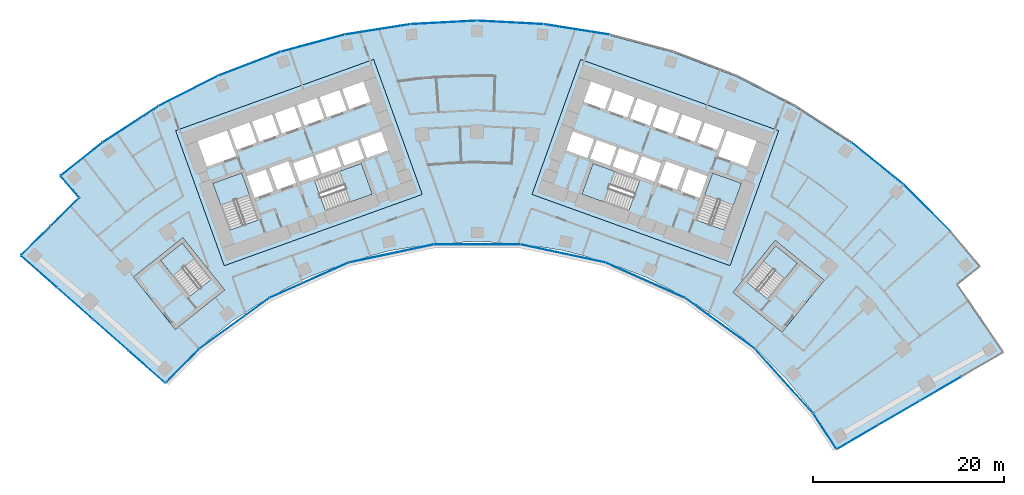
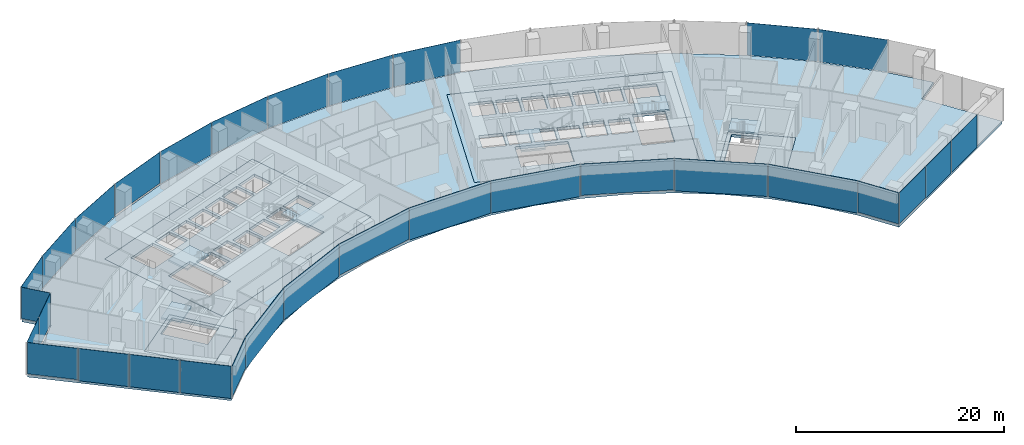
# One storey, part 11 of 21: 31 plates, 11 slabs, 12 elements without a shape of their own.
"""IFC4 building model written with IfcOpenShell, lengths in metres."""

import ifcopenshell
import ifcopenshell.guid

model = None  # the IFC model being written
_history = None  # IfcOwnerHistory: only IFC2X3 demands one
_inside = {}  # id of a spatial element -> (the spatial element, [elements in it])
_under = {}  # id of a project, library or spatial element -> (it, [spatial elements below it])
_declared = {}  # id of a project -> (the project, [libraries it declares])
_typed = {}  # id of a type object -> (the type object, [elements of that type])
_made_of = {}  # id of a material, layer set ... -> (it, [elements and type objects made of it])


def new_model(schema):
    """Start an empty IFC model of exactly this schema.

    Asked for "IFC4X3", IfcOpenShell would pick the latest addendum, in which some entities
    have other attributes; the version numbers below select the first issue.
    IFC2X3 requires an IfcOwnerHistory on every rooted entity: one is made here for all.
    """
    global model, _history
    if schema == "IFC4X3":
        model = ifcopenshell.file(schema_version=(4, 3, 0, 0))
    else:
        model = ifcopenshell.file(schema=schema)
    _inside.clear()
    _under.clear()
    _declared.clear()
    _typed.clear()
    _made_of.clear()
    _history = None
    if model.schema == "IFC2X3":
        org = make("IfcOrganization", Name="unknown")
        user = make(
            "IfcPersonAndOrganization",
            ThePerson=make("IfcPerson", FamilyName="unknown"),
            TheOrganization=org,
        )
        app = make(
            "IfcApplication",
            ApplicationDeveloper=org,
            Version="unknown",
            ApplicationFullName="unknown",
            ApplicationIdentifier="unknown",
        )
        _history = make(
            "IfcOwnerHistory",
            OwningUser=user,
            OwningApplication=app,
            ChangeAction="ADDED",
            CreationDate=0,
        )
    return model


def make(cls, **values):
    """One entity of the class cls with the attributes given. An attribute that is None is left unset."""
    return model.create_entity(
        cls, **{name: value for name, value in values.items() if value is not None}
    )


def rooted(cls, **values):
    """An entity with a GlobalId (a new one), such as an element, a storey or a relation."""
    return make(cls, GlobalId=ifcopenshell.guid.new(), OwnerHistory=_history, **values)


def si_unit(unit_type, name, prefix=None):
    """IfcSIUnit, for example si_unit("LENGTHUNIT", "METRE", prefix="MILLI")."""
    return make("IfcSIUnit", UnitType=unit_type, Prefix=prefix, Name=name)


def assignment(units):
    """IfcUnitAssignment: the units of a project."""
    return None if units is None else make("IfcUnitAssignment", Units=units)


def point(xyz):
    """IfcCartesianPoint."""
    return None if xyz is None else make("IfcCartesianPoint", Coordinates=xyz)


def direction(xyz):
    """IfcDirection."""
    return None if xyz is None else make("IfcDirection", DirectionRatios=xyz)


def frame(location, z_axis=None, x_axis=None):
    """IfcAxis2Placement3D, a coordinate frame: its origin and axes. An axis left out is left unset."""
    return make(
        "IfcAxis2Placement3D",
        Location=point(location),
        Axis=direction(z_axis),
        RefDirection=direction(x_axis),
    )


def frame_2d(location, x_axis=None):
    """IfcAxis2Placement2D, a coordinate frame in the plane: its origin and x axis."""
    return make(
        "IfcAxis2Placement2D", Location=point(location), RefDirection=direction(x_axis)
    )


def origin():
    """The frame at (0, 0, 0) with its axes left unset."""
    return frame((0.0, 0.0, 0.0))


def origin_2d():
    """The frame at (0, 0) in the plane with its x axis left unset."""
    return frame_2d((0.0, 0.0))


def place(relative_to, where):
    """IfcLocalPlacement: puts the frame where relative to a parent placement (None: the world)."""
    return make(
        "IfcLocalPlacement", PlacementRelTo=relative_to, RelativePlacement=where
    )


def context(
    kind, dimensions, precision=None, world=None, true_north=None, identifier=None
):
    """IfcGeometricRepresentationContext, for example the 3D "Model" context."""
    return make(
        "IfcGeometricRepresentationContext",
        ContextIdentifier=identifier,
        ContextType=kind,
        CoordinateSpaceDimension=dimensions,
        Precision=precision,
        WorldCoordinateSystem=world,
        TrueNorth=true_north,
    )


def subcontext(parent, identifier, kind, view, scale=None):
    """IfcGeometricRepresentationSubContext, for example "Body" below "Model"."""
    return make(
        "IfcGeometricRepresentationSubContext",
        ContextIdentifier=identifier,
        ContextType=kind,
        ParentContext=parent,
        TargetScale=scale,
        TargetView=view,
    )


def project(units=None, contexts=None):
    """IfcProject with its units and contexts."""
    return rooted(
        "IfcProject",
        Name="project",
        RepresentationContexts=contexts,
        UnitsInContext=assignment(units),
    )


def spatial(cls, under=None, at=None, **own):
    """A site, building, storey or space (cls), placed at a placement, below another one or the project."""
    s = rooted(cls, ObjectPlacement=at, **own)
    if under is not None:
        _under.setdefault(under.id(), (under, []))[1].append(s)
    return s


def polyline(points):
    """IfcPolyline through the points."""
    return make("IfcPolyline", Points=[point(p) for p in points])


def profile(cls, at=None, kind="AREA", **sizes):
    """A parametric profile (cls). Its sizes go by their IFC names, for example OverallWidth=200.0."""
    return make(cls, ProfileType=kind, Position=at, **sizes)


def rectangle(**sizes):
    """IfcRectangleProfileDef."""
    return profile("IfcRectangleProfileDef", **sizes)


def outline(outer, holes=None, kind="AREA"):
    """IfcArbitraryClosedProfileDef: a profile drawn as a closed curve; with holes, ...WithVoids."""
    if holes is None:
        return make("IfcArbitraryClosedProfileDef", ProfileType=kind, OuterCurve=outer)
    return make(
        "IfcArbitraryProfileDefWithVoids",
        ProfileType=kind,
        OuterCurve=outer,
        InnerCurves=holes,
    )


def extrude(swept, where, along, depth):
    """IfcExtrudedAreaSolid: the profile swept, set in the frame where, extruded along a direction by depth."""
    return make(
        "IfcExtrudedAreaSolid",
        SweptArea=swept,
        Position=where,
        ExtrudedDirection=direction(along),
        Depth=depth,
    )


def shape(context_of_items, identifier, shape_type, items):
    """IfcShapeRepresentation: the items that make up one representation, for example the "Body"."""
    return make(
        "IfcShapeRepresentation",
        ContextOfItems=context_of_items,
        RepresentationIdentifier=identifier,
        RepresentationType=shape_type,
        Items=items,
    )


def material(Name=None, Category=None):
    """IfcMaterial."""
    return make("IfcMaterial", Name=Name, Category=Category)


def layer(
    of_material, thickness, ventilated=None, Name=None, Category=None, Priority=None
):
    """IfcMaterialLayer: one layer of a wall or slab, of a material (None: an air gap)."""
    return make(
        "IfcMaterialLayer",
        Material=of_material,
        LayerThickness=thickness,
        IsVentilated=ventilated,
        Name=Name,
        Category=Category,
        Priority=Priority,
    )


def layer_set(layers, Name=None):
    """IfcMaterialLayerSet."""
    return make("IfcMaterialLayerSet", MaterialLayers=layers, LayerSetName=Name)


def made_of(thing, what):
    """Note that an element or type object is made of a material, layer set ...; save() writes the relation."""
    if what is not None:
        _made_of.setdefault(what.id(), (what, []))[1].append(thing)
    return thing


def type_object(cls, material=None, **own):
    """A type object (cls), such as IfcWallType, which elements share."""
    return made_of(rooted(cls, **own), material)


def element(
    cls,
    number,
    at=None,
    inside=None,
    cuts=None,
    type_object=None,
    material=None,
    context=None,
    identifier="Body",
    shape_type=None,
    held_by="IfcProductDefinitionShape",
    body=None,
    shapes=None,
    **own,
):
    """One element of the class cls, such as IfcWall. Its Tag is "e" and its number.

    at: its placement. inside: the storey or other place that contains it. cuts: it is an
    opening in that element (IfcRelVoidsElement). A single representation is given by context,
    identifier, shape_type and body (its items); several are given by shapes. held_by: the class
    of the entity that holds the representations. save() writes the other relations.
    """
    e = rooted(cls, Tag="e%d" % number, ObjectPlacement=at, **own)
    if body is not None:
        shapes = [shape(context, identifier, shape_type, body)]
    if shapes is not None:
        e.Representation = make(held_by, Representations=shapes)
    if inside is not None:
        _inside.setdefault(inside.id(), (inside, []))[1].append(e)
    if cuts is not None:
        rooted(
            "IfcRelVoidsElement", RelatingBuildingElement=cuts, RelatedOpeningElement=e
        )
    if type_object is not None:
        _typed.setdefault(type_object.id(), (type_object, []))[1].append(e)
    return made_of(e, material)


def aggregate(whole, parts):
    """IfcRelAggregates: a whole, such as a stair, and the parts it consists of."""
    return rooted("IfcRelAggregates", RelatingObject=whole, RelatedObjects=parts)


def save(model, path):
    """Write the relations noted so far, then the file.

    IfcRelAggregates (storeys below a building ...), IfcRelContainedInSpatialStructure (elements
    in a storey), IfcRelDefinesByType, IfcRelAssociatesMaterial and IfcRelDeclares: one each for
    every whole, place, type object, material and project.
    """
    for whole, parts in _under.values():
        aggregate(whole, parts)
    for where, things in _inside.values():
        rooted(
            "IfcRelContainedInSpatialStructure",
            RelatedElements=things,
            RelatingStructure=where,
        )
    for kind, things in _typed.values():
        rooted("IfcRelDefinesByType", RelatedObjects=things, RelatingType=kind)
    for what, things in _made_of.values():
        rooted("IfcRelAssociatesMaterial", RelatedObjects=things, RelatingMaterial=what)
    for by, libraries in _declared.values():
        rooted("IfcRelDeclares", RelatingContext=by, RelatedDefinitions=libraries)
    model.write(path)


model = new_model("IFC4")

# Units and contexts
model_context = context("Model", 3, precision=1e-05, world=origin(), true_north=direction((0.0, 1.0)))
body_context = subcontext(model_context, "Body", "Model", "MODEL_VIEW")
ifc_project = project(units=[si_unit("LENGTHUNIT", "METRE"), si_unit("AREAUNIT", "SQUARE_METRE"), si_unit("VOLUMEUNIT", "CUBIC_METRE"), si_unit("PLANEANGLEUNIT", "RADIAN"), si_unit("MASSUNIT", "GRAM", prefix="KILO")], contexts=[model_context])

# Site, building, storey
site_placement = place(None, origin())
site = spatial("IfcSite", under=ifc_project, at=site_placement, CompositionType="ELEMENT")
building_placement = place(site_placement, origin())
building = spatial("IfcBuilding", under=site, at=building_placement, Name="Stone Belt Terrace Tower", CompositionType="ELEMENT")
storey_placement = place(building_placement, frame((0.0, 0.0, 117.39990234375)))
storey = spatial("IfcBuildingStorey", under=building, at=storey_placement, Name="L28", CompositionType="ELEMENT", Elevation=117.39990234375)

# Curtain wall, plates
ifc_material_1 = material(Name="Aluminium 6063-T6 anodised frame", Category="aluminium")
ifc_layer_1 = layer(ifc_material_1, 0.14990234375)
ifc_layer_set_1 = layer_set([ifc_layer_1], Name="CW-A unitised convex-face curtain wall")
curtain_wall_type_1 = type_object("IfcCurtainWallType", Name="CW-A unitised convex-face curtain wall", PredefinedType="NOTDEFINED", material=ifc_layer_set_1)
curtain_wall_1_placement = place(storey_placement, origin())
curtain_wall_1 = element("IfcCurtainWall", 1, at=curtain_wall_1_placement, inside=storey, type_object=curtain_wall_type_1, Name="CW-A convex face L28", PredefinedType="NOTDEFINED")
ifc_material_2 = material(Name="Clear double glazed unit")
ifc_layer_2 = layer(ifc_material_2, 0.031982421875)
ifc_layer_set_2 = layer_set([ifc_layer_2], Name="CW-A glass panel 32")
plate_type_1 = type_object("IfcPlateType", Name="CW-A glass panel 32", PredefinedType="CURTAIN_PANEL", material=ifc_layer_set_2)
plate_1_placement = place(storey_placement, frame((47.01123046875, 47.01123046875, 0.0), z_axis=(0.0, 0.0, 1.0), x_axis=(-0.707106781187, 0.707106781187, 0.0)))
plate_1 = element("IfcPlate", 2, at=plate_1_placement, type_object=plate_type_1, Name="CW-A panel 2.1", PredefinedType="CURTAIN_PANEL", context=body_context, shape_type="SweptSolid", body=[
    extrude(rectangle(XDim=6.90087890625, YDim=0.031982421875, at=origin_2d()), origin(), (0.0, 0.0, 1.0), 3.800048828125),
])
plate_2_placement = place(storey_placement, frame((41.839599609375, 51.667724609375, 0.0), z_axis=(0.0, 0.0, 1.0), x_axis=(-0.777145961457, 0.62932039105, 0.0)))
plate_2 = element("IfcPlate", 3, at=plate_2_placement, type_object=plate_type_1, Name="CW-A panel 3.1", PredefinedType="CURTAIN_PANEL", context=body_context, shape_type="SweptSolid", body=[
    extrude(rectangle(XDim=6.90087890625, YDim=0.031982421875, at=origin_2d()), origin(), (0.0, 0.0, 1.0), 3.800048828125),
])
plate_3_placement = place(storey_placement, frame((10.400390625, 65.665283203125, 0.0), z_axis=(0.0, 0.0, 1.0), x_axis=(-0.987688340595, 0.15643446504, 0.0)))
plate_3 = element("IfcPlate", 4, at=plate_3_placement, type_object=plate_type_1, Name="CW-A panel 8.1", PredefinedType="CURTAIN_PANEL", context=body_context, shape_type="SweptSolid", body=[
    extrude(rectangle(XDim=6.90087890625, YDim=0.031982421875, at=origin_2d()), origin(), (0.0, 0.0, 1.0), 3.800048828125),
])
plate_4_placement = place(storey_placement, frame((3.4794921875, 66.392822265625, 0.0), z_axis=(0.0, 0.0, 1.0), x_axis=(-0.998629534755, 0.052335956243, 0.0)))
plate_4 = element("IfcPlate", 5, at=plate_4_placement, type_object=plate_type_1, Name="CW-A panel 9.1", PredefinedType="CURTAIN_PANEL", context=body_context, shape_type="SweptSolid", body=[
    extrude(rectangle(XDim=6.90087890625, YDim=0.031982421875, at=origin_2d()), origin(), (0.0, 0.0, 1.0), 3.800048828125),
])
plate_5_placement = place(storey_placement, frame((-3.4794921875, 66.392822265625, 0.0), z_axis=(0.0, 0.0, 1.0), x_axis=(-0.998629534755, -0.052335956243, 0.0)))
plate_5 = element("IfcPlate", 6, at=plate_5_placement, type_object=plate_type_1, Name="CW-A panel 10.1", PredefinedType="CURTAIN_PANEL", context=body_context, shape_type="SweptSolid", body=[
    extrude(rectangle(XDim=6.90087890625, YDim=0.031982421875, at=origin_2d()), origin(), (0.0, 0.0, 1.0), 3.800048828125),
])
plate_6_placement = place(storey_placement, frame((-10.400390625, 65.665283203125, 0.0), z_axis=(0.0, 0.0, 1.0), x_axis=(-0.987688340595, -0.15643446504, 0.0)))
plate_6 = element("IfcPlate", 7, at=plate_6_placement, type_object=plate_type_1, Name="CW-A panel 11.1", PredefinedType="CURTAIN_PANEL", context=body_context, shape_type="SweptSolid", body=[
    extrude(rectangle(XDim=6.90087890625, YDim=0.031982421875, at=origin_2d()), origin(), (0.0, 0.0, 1.0), 3.800048828125),
])
plate_7_placement = place(storey_placement, frame((-17.207275390625, 64.218505859375, 0.0), z_axis=(0.0, 0.0, 1.0), x_axis=(-0.965925826289, -0.258819045103, 0.0)))
plate_7 = element("IfcPlate", 8, at=plate_7_placement, type_object=plate_type_1, Name="CW-A panel 12.1", PredefinedType="CURTAIN_PANEL", context=body_context, shape_type="SweptSolid", body=[
    extrude(rectangle(XDim=6.90087890625, YDim=0.031982421875, at=origin_2d()), origin(), (0.0, 0.0, 1.0), 3.800048828125),
])
plate_8_placement = place(storey_placement, frame((-23.82568359375, 62.068115234375, 0.14013671875), z_axis=(0.0, 0.0, 1.0), x_axis=(-0.933580426497, -0.358367949545, 0.0)))
plate_8 = element("IfcPlate", 9, at=plate_8_placement, type_object=plate_type_1, Name="CW-A panel 13.1", PredefinedType="CURTAIN_PANEL", context=body_context, shape_type="SweptSolid", body=[
    extrude(rectangle(XDim=6.90087890625, YDim=0.031982421875, at=origin_2d()), origin(), (0.0, 0.0, 1.0), 3.659912109375),
])
plate_9_placement = place(storey_placement, frame((-30.18310546875, 59.237548828125, 0.0), z_axis=(0.0, 0.0, 1.0), x_axis=(-0.891006524188, -0.45399049974, 0.0)))
plate_9 = element("IfcPlate", 10, at=plate_9_placement, type_object=plate_type_1, Name="CW-A panel 14.1", PredefinedType="CURTAIN_PANEL", context=body_context, shape_type="SweptSolid", body=[
    extrude(rectangle(XDim=6.90087890625, YDim=0.031982421875, at=origin_2d()), origin(), (0.0, 0.0, 1.0), 3.800048828125),
])
plate_10_placement = place(storey_placement, frame((-36.209716796875, 55.758056640625, 0.0), z_axis=(0.0, 0.0, 1.0), x_axis=(-0.838670567945, -0.544639035015, 0.0)))
plate_10 = element("IfcPlate", 11, at=plate_10_placement, type_object=plate_type_1, Name="CW-A panel 15.1", PredefinedType="CURTAIN_PANEL", context=body_context, shape_type="SweptSolid", body=[
    extrude(rectangle(XDim=6.90087890625, YDim=0.031982421875, at=origin_2d()), origin(), (0.0, 0.0, 1.0), 3.800048828125),
])
plate_11_placement = place(storey_placement, frame((-41.32568359375, 52.121826171875, 0.0), z_axis=(0.0, 0.0, 1.0), x_axis=(-0.783743132176, -0.621085101067, 0.0)))
plate_11 = element("IfcPlate", 12, at=plate_11_placement, type_object=plate_type_1, Name="CW-A panel 16.1", PredefinedType="CURTAIN_PANEL", context=body_context, shape_type="SweptSolid", body=[
    extrude(rectangle(XDim=5.5322265625, YDim=0.031982421875, at=origin_2d()), origin(), (0.0, 0.0, 1.0), 3.800048828125),
])
aggregate(curtain_wall_1, [plate_1, plate_2, plate_3, plate_4, plate_5, plate_6, plate_7, plate_8, plate_9, plate_10, plate_11])

ifc_layer_3 = layer(ifc_material_1, 0.14990234375)
ifc_layer_set_3 = layer_set([ifc_layer_3], Name="CW-B unitised concave-face curtain wall")
curtain_wall_type_2 = type_object("IfcCurtainWallType", Name="CW-B unitised concave-face curtain wall", PredefinedType="NOTDEFINED", material=ifc_layer_set_3)
curtain_wall_2_placement = place(storey_placement, origin())
curtain_wall_2 = element("IfcCurtainWall", 13, at=curtain_wall_2_placement, inside=storey, type_object=curtain_wall_type_2, Name="CW-B concave face L28", PredefinedType="NOTDEFINED")
ifc_layer_4 = layer(ifc_material_2, 0.030029296875)
ifc_layer_set_4 = layer_set([ifc_layer_4], Name="CW-B glass panel 30")
plate_type_2 = type_object("IfcPlateType", Name="CW-B glass panel 30", PredefinedType="CURTAIN_PANEL", material=ifc_layer_set_4)
plate_12_placement = place(storey_placement, frame((-30.81494140625, 30.49609375, 0.1201171875), z_axis=(0.0, 0.0, 1.0), x_axis=(0.703734842547, 0.710462716393, 0.0)))
plate_12 = element("IfcPlate", 14, at=plate_12_placement, type_object=plate_type_2, Name="CW-B panel 1.1", PredefinedType="CURTAIN_PANEL", context=body_context, shape_type="SweptSolid", body=[
    extrude(rectangle(XDim=4.9306640625, YDim=0.030029296875, at=origin_2d()), origin(), (0.0, 0.0, 1.0), 3.679931640625),
])
plate_13_placement = place(storey_placement, frame((-25.385986328125, 34.937744140625, 0.0), z_axis=(0.0, 0.0, 1.0), x_axis=(0.809016994375, 0.587785252292, 0.0)))
plate_13 = element("IfcPlate", 15, at=plate_13_placement, type_object=plate_type_2, Name="CW-B panel 2.1", PredefinedType="CURTAIN_PANEL", context=body_context, shape_type="SweptSolid", body=[
    extrude(rectangle(XDim=9.016357421875, YDim=0.030029296875, at=origin_2d()), origin(), (0.0, 0.0, 1.0), 3.800048828125),
])
plate_14_placement = place(storey_placement, frame((-17.565673828125, 39.453125, 0.0), z_axis=(0.0, 0.0, 1.0), x_axis=(0.913545457643, 0.406736643076, 0.0)))
plate_14 = element("IfcPlate", 16, at=plate_14_placement, type_object=plate_type_2, Name="CW-B panel 3.1", PredefinedType="CURTAIN_PANEL", context=body_context, shape_type="SweptSolid", body=[
    extrude(rectangle(XDim=9.0126953125, YDim=0.030029296875, at=origin_2d()), origin(), (0.0, 0.0, 1.0), 3.800048828125),
])
plate_15_placement = place(storey_placement, frame((-8.97900390625, 42.242919921875, 0.1201171875), z_axis=(0.0, 0.0, 1.0), x_axis=(0.978147600734, 0.207911690818, 0.0)))
plate_15 = element("IfcPlate", 17, at=plate_15_placement, type_object=plate_type_2, Name="CW-B panel 4.1", PredefinedType="CURTAIN_PANEL", context=body_context, shape_type="SweptSolid", body=[
    extrude(rectangle(XDim=9.0126953125, YDim=0.030029296875, at=origin_2d()), origin(), (0.0, 0.0, 1.0), 3.679931640625),
])
plate_16_placement = place(storey_placement, frame((0.0, 43.186767578125, 0.0), z_axis=(0.0, 0.0, 1.0), x_axis=(1.0, 0.0, 0.0)))
plate_16 = element("IfcPlate", 18, at=plate_16_placement, type_object=plate_type_2, Name="CW-B panel 5.1", PredefinedType="CURTAIN_PANEL", context=body_context, shape_type="SweptSolid", body=[
    extrude(rectangle(XDim=9.0126953125, YDim=0.030029296875, at=origin_2d()), origin(), (0.0, 0.0, 1.0), 3.800048828125),
])
plate_17_placement = place(storey_placement, frame((8.97900390625, 42.242919921875, 0.0), z_axis=(0.0, 0.0, 1.0), x_axis=(0.978147600734, -0.207911690818, 0.0)))
plate_17 = element("IfcPlate", 19, at=plate_17_placement, type_object=plate_type_2, Name="CW-B panel 6.1", PredefinedType="CURTAIN_PANEL", context=body_context, shape_type="SweptSolid", body=[
    extrude(rectangle(XDim=9.0126953125, YDim=0.030029296875, at=origin_2d()), origin(), (0.0, 0.0, 1.0), 3.800048828125),
])
plate_18_placement = place(storey_placement, frame((17.565673828125, 39.453125, 0.1201171875), z_axis=(0.0, 0.0, 1.0), x_axis=(0.913545457643, -0.406736643076, 0.0)))
plate_18 = element("IfcPlate", 20, at=plate_18_placement, type_object=plate_type_2, Name="CW-B panel 7.1", PredefinedType="CURTAIN_PANEL", context=body_context, shape_type="SweptSolid", body=[
    extrude(rectangle(XDim=9.0126953125, YDim=0.030029296875, at=origin_2d()), origin(), (0.0, 0.0, 1.0), 3.679931640625),
])
plate_19_placement = place(storey_placement, frame((25.384521484375, 34.938720703125, 0.0), z_axis=(0.0, 0.0, 1.0), x_axis=(0.809016994375, -0.587785252292, 0.0)))
plate_19 = element("IfcPlate", 21, at=plate_19_placement, type_object=plate_type_2, Name="CW-B panel 8.1", PredefinedType="CURTAIN_PANEL", context=body_context, shape_type="SweptSolid", body=[
    extrude(rectangle(XDim=9.0126953125, YDim=0.030029296875, at=origin_2d()), origin(), (0.0, 0.0, 1.0), 3.800048828125),
])
plate_20_placement = place(storey_placement, frame((32.09521484375, 28.89599609375, 0.0), z_axis=(0.0, 0.0, 1.0), x_axis=(0.669130606359, -0.743144825477, 0.0)))
plate_20 = element("IfcPlate", 22, at=plate_20_placement, type_object=plate_type_2, Name="CW-B panel 9.1", PredefinedType="CURTAIN_PANEL", context=body_context, shape_type="SweptSolid", body=[
    extrude(rectangle(XDim=9.016845703125, YDim=0.030029296875, at=origin_2d()), origin(), (0.0, 0.0, 1.0), 3.800048828125),
])
plate_21_placement = place(storey_placement, frame((36.3408203125, 23.66943359375, 0.1201171875), z_axis=(0.0, 0.0, 1.0), x_axis=(0.546131502436, -0.837699458068, 0.0)))
plate_21 = element("IfcPlate", 23, at=plate_21_placement, type_object=plate_type_2, Name="CW-B panel 10.1", PredefinedType="CURTAIN_PANEL", context=body_context, shape_type="SweptSolid", body=[
    extrude(rectangle(XDim=4.363525390625, YDim=0.030029296875, at=origin_2d()), origin(), (0.0, 0.0, 1.0), 3.679931640625),
])
aggregate(curtain_wall_2, [plate_12, plate_13, plate_14, plate_15, plate_16, plate_17, plate_18, plate_19, plate_20, plate_21])

ifc_layer_5 = layer(ifc_material_1, 0.14990234375)
ifc_layer_set_5 = layer_set([ifc_layer_5], Name="CW-C stick curtain wall, horn ends and notches")
curtain_wall_type_3 = type_object("IfcCurtainWallType", Name="CW-C stick curtain wall, horn ends and notches", PredefinedType="NOTDEFINED", material=ifc_layer_set_5)
curtain_wall_3_placement = place(storey_placement, origin())
curtain_wall_3 = element("IfcCurtainWall", 24, at=curtain_wall_3_placement, inside=storey, type_object=curtain_wall_type_3, Name="CW-C end face L28", PredefinedType="NOTDEFINED")
ifc_layer_6 = layer(ifc_material_2, 0.028076171875)
ifc_layer_set_6 = layer_set([ifc_layer_6], Name="CW-C glass panel 28")
plate_type_3 = type_object("IfcPlateType", Name="CW-C glass panel 28", PredefinedType="CURTAIN_PANEL", material=ifc_layer_set_6)
plate_22_placement = place(storey_placement, frame((39.78076171875, 23.06982421875, 0.1201171875), z_axis=(0.0, 0.0, 1.0), x_axis=(0.864239322284, 0.503080901861, 0.0)))
plate_22 = element("IfcPlate", 25, at=plate_22_placement, type_object=plate_type_3, Name="CW-C panel 1.1", PredefinedType="CURTAIN_PANEL", context=body_context, shape_type="SweptSolid", body=[
    extrude(rectangle(XDim=4.9677734375, YDim=0.028076171875, at=origin_2d()), origin(), (0.0, 0.0, 1.0), 3.679931640625),
])
plate_23_placement = place(storey_placement, frame((44.114013671875, 25.59228515625, 0.0), z_axis=(0.0, 0.0, 1.0), x_axis=(0.864239322284, 0.503080901861, 0.0)))
plate_23 = element("IfcPlate", 26, at=plate_23_placement, type_object=plate_type_3, Name="CW-C panel 2.1", PredefinedType="CURTAIN_PANEL", context=body_context, shape_type="SweptSolid", body=[
    extrude(rectangle(XDim=4.93994140625, YDim=0.028076171875, at=origin_2d()), origin(), (0.0, 0.0, 1.0), 3.800048828125),
])
plate_24_placement = place(storey_placement, frame((48.43505859375, 28.107666015625, 0.0), z_axis=(0.0, 0.0, 1.0), x_axis=(0.864239322284, 0.503080901861, 0.0)))
plate_24 = element("IfcPlate", 27, at=plate_24_placement, type_object=plate_type_3, Name="CW-C panel 3.1", PredefinedType="CURTAIN_PANEL", context=body_context, shape_type="SweptSolid", body=[
    extrude(rectangle(XDim=4.93994140625, YDim=0.028076171875, at=origin_2d()), origin(), (0.0, 0.0, 1.0), 3.800048828125),
])
aggregate(curtain_wall_3, [plate_22, plate_23, plate_24])

# Curtain wall, plate
curtain_wall_4_placement = place(storey_placement, origin())
curtain_wall_4 = element("IfcCurtainWall", 28, at=curtain_wall_4_placement, inside=storey, type_object=curtain_wall_type_3, Name="CW-C notch face L28", PredefinedType="NOTDEFINED")
plate_25_placement = place(storey_placement, frame((-42.569091796875, 49.218017578125, 0.1201171875), z_axis=(0.0, 0.0, 1.0), x_axis=(0.653299511695, -0.757099562818, 0.0)))
plate_25 = element("IfcPlate", 29, at=plate_25_placement, type_object=plate_type_3, Name="CW-C panel 1.1", PredefinedType="CURTAIN_PANEL", context=body_context, shape_type="SweptSolid", body=[
    extrude(rectangle(XDim=2.860107421875, YDim=0.028076171875, at=origin_2d()), origin(), (0.0, 0.0, 1.0), 3.679931640625),
])
aggregate(curtain_wall_4, [plate_25])

# Curtain wall, plates
curtain_wall_5_placement = place(storey_placement, origin())
curtain_wall_5 = element("IfcCurtainWall", 30, at=curtain_wall_5_placement, inside=storey, type_object=curtain_wall_type_3, Name="CW-C notch face L28", PredefinedType="NOTDEFINED")
plate_26_placement = place(storey_placement, frame((-43.104248046875, 46.580078125, 0.1201171875), z_axis=(0.0, 0.0, 1.0), x_axis=(-0.711192294213, -0.702997525353, 0.0)))
plate_26 = element("IfcPlate", 31, at=plate_26_placement, type_object=plate_type_3, Name="CW-C panel 1.1", PredefinedType="CURTAIN_PANEL", context=body_context, shape_type="SweptSolid", body=[
    extrude(rectangle(XDim=4.12060546875, YDim=0.028076171875, at=origin_2d()), origin(), (0.0, 0.0, 1.0), 3.679931640625),
])
plate_27_placement = place(storey_placement, frame((-46.130126953125, 43.589111328125, 0.0), z_axis=(0.0, 0.0, 1.0), x_axis=(-0.711192294213, -0.702997525353, 0.0)))
plate_27 = element("IfcPlate", 32, at=plate_27_placement, type_object=plate_type_3, Name="CW-C panel 2.1", PredefinedType="CURTAIN_PANEL", context=body_context, shape_type="SweptSolid", body=[
    extrude(rectangle(XDim=4.268798828125, YDim=0.028076171875, at=origin_2d()), origin(), (0.0, 0.0, 1.0), 3.800048828125),
])
aggregate(curtain_wall_5, [plate_26, plate_27])

curtain_wall_6_placement = place(storey_placement, origin())
curtain_wall_6 = element("IfcCurtainWall", 33, at=curtain_wall_6_placement, inside=storey, type_object=curtain_wall_type_3, Name="CW-C end face L28", PredefinedType="NOTDEFINED")
plate_28_placement = place(storey_placement, frame((-45.781005859375, 40.339111328125, 0.1201171875), z_axis=(0.0, 0.0, 1.0), x_axis=(0.749477659318, -0.662029635427, 0.0)))
plate_28 = element("IfcPlate", 34, at=plate_28_placement, type_object=plate_type_3, Name="CW-C panel 1.1", PredefinedType="CURTAIN_PANEL", context=body_context, shape_type="SweptSolid", body=[
    extrude(rectangle(XDim=4.974853515625, YDim=0.028076171875, at=origin_2d()), origin(), (0.0, 0.0, 1.0), 3.679931640625),
])
plate_29_placement = place(storey_placement, frame((-42.0205078125, 37.017333984375, 0.0), z_axis=(0.0, 0.0, 1.0), x_axis=(0.749477659318, -0.662029635427, 0.0)))
plate_29 = element("IfcPlate", 35, at=plate_29_placement, type_object=plate_type_3, Name="CW-C panel 2.1", PredefinedType="CURTAIN_PANEL", context=body_context, shape_type="SweptSolid", body=[
    extrude(rectangle(XDim=4.93994140625, YDim=0.028076171875, at=origin_2d()), origin(), (0.0, 0.0, 1.0), 3.800048828125),
])
plate_30_placement = place(storey_placement, frame((-38.27294921875, 33.707275390625, 0.0), z_axis=(0.0, 0.0, 1.0), x_axis=(0.749477659318, -0.662029635427, 0.0)))
plate_30 = element("IfcPlate", 36, at=plate_30_placement, type_object=plate_type_3, Name="CW-C panel 3.1", PredefinedType="CURTAIN_PANEL", context=body_context, shape_type="SweptSolid", body=[
    extrude(rectangle(XDim=4.93994140625, YDim=0.028076171875, at=origin_2d()), origin(), (0.0, 0.0, 1.0), 3.800048828125),
])
plate_31_placement = place(storey_placement, frame((-34.515380859375, 30.387939453125, 0.0), z_axis=(0.0, 0.0, 1.0), x_axis=(0.749477659318, -0.662029635427, 0.0)))
plate_31 = element("IfcPlate", 37, at=plate_31_placement, type_object=plate_type_3, Name="CW-C panel 4.1", PredefinedType="CURTAIN_PANEL", context=body_context, shape_type="SweptSolid", body=[
    extrude(rectangle(XDim=4.967529296875, YDim=0.028076171875, at=origin_2d()), origin(), (0.0, 0.0, 1.0), 3.800048828125),
])
aggregate(curtain_wall_6, [plate_28, plate_29, plate_30, plate_31])

# Slabs
ifc_material_3 = material(Name="Concrete B40", Category="concrete")
ifc_layer_7 = layer(ifc_material_3, 0.320068359375)
ifc_layer_set_7 = layer_set([ifc_layer_7], Name="Core floor slab 320")
slab_type_1 = type_object("IfcSlabType", Name="Core floor slab 320", PredefinedType="FLOOR", material=ifc_layer_set_7)
slab_1_placement = place(storey_placement, frame((0.0, 0.0, -0.31982421875)))
element("IfcSlab", 38, at=slab_1_placement, inside=storey, type_object=slab_type_1, Name="Core A floor L28", PredefinedType="FLOOR", context=body_context, shape_type="SweptSolid", body=[
    extrude(outline(polyline([(-26.43505859375, 40.968994140625), (-5.735107421875, 48.4189453125), (-10.81396484375, 62.531982421875), (-31.513916015625, 55.0830078125), (-26.43505859375, 40.968994140625)]), holes=[polyline([(-24.60791015625, 50.659912109375), (-22.847900390625, 45.76806640625), (-25.85888671875, 44.68408203125), (-27.618896484375, 49.575927734375), (-24.60791015625, 50.659912109375)]), polyline([(-21.27392578125, 48.778076171875), (-23.25, 48.06689453125), (-24.06298828125, 50.324951171875), (-22.0869140625, 51.035888671875), (-21.27392578125, 48.778076171875)]), polyline([(-18.922119140625, 49.6240234375), (-20.89794921875, 48.9130859375), (-21.7109375, 51.1708984375), (-19.735107421875, 51.883056640625), (-18.922119140625, 49.6240234375)]), polyline([(-19.239990234375, 51.68896484375), (-17.217041015625, 52.4169921875), (-16.52294921875, 50.488037109375), (-18.5458984375, 49.760009765625), (-19.239990234375, 51.68896484375)]), polyline([(-29.2109375, 53.9990234375), (-26.153076171875, 55.09912109375), (-25.18798828125, 52.41796875), (-28.24609375, 51.31689453125), (-29.2109375, 53.9990234375)]), polyline([(-23.801025390625, 55.946044921875), (-23.0390625, 53.8291015625), (-25.10888671875, 53.083984375), (-25.87109375, 55.200927734375), (-23.801025390625, 55.946044921875)]), polyline([(-21.447998046875, 56.7919921875), (-20.68603515625, 54.675048828125), (-22.756103515625, 53.929931640625), (-23.51806640625, 56.047119140625), (-21.447998046875, 56.7919921875)]), polyline([(-19.095947265625, 57.638916015625), (-18.333984375, 55.52197265625), (-20.404052734375, 54.777099609375), (-21.166015625, 56.89404296875), (-19.095947265625, 57.638916015625)]), polyline([(-15.846923828125, 46.69189453125), (-16.998046875, 49.89208984375), (-12.10595703125, 51.652099609375), (-10.955078125, 48.452880859375), (-15.846923828125, 46.69189453125)]), polyline([(-16.239990234375, 50.589111328125), (-16.93408203125, 52.51806640625), (-14.864013671875, 53.262939453125), (-14.169921875, 51.333984375), (-16.239990234375, 50.589111328125)]), polyline([(-11.801025390625, 52.134033203125), (-11.847900390625, 52.116943359375), (-11.864990234375, 52.1640625), (-13.887939453125, 51.43603515625), (-14.58203125, 53.364990234375), (-12.511962890625, 54.110107421875), (-11.801025390625, 52.134033203125)]), polyline([(-9.30810546875, 53.031005859375), (-11.51904296875, 52.235107421875), (-12.22998046875, 54.2109375), (-10.01904296875, 55.007080078125), (-9.30810546875, 53.031005859375)]), polyline([(-16.743896484375, 58.485107421875), (-15.98193359375, 56.367919921875), (-18.052001953125, 55.623046875), (-18.81396484375, 57.739990234375), (-16.743896484375, 58.485107421875)]), polyline([(-14.39111328125, 59.33203125), (-13.6298828125, 57.215087890625), (-15.699951171875, 56.469970703125), (-16.4609375, 58.5869140625), (-14.39111328125, 59.33203125)]), polyline([(-11.89794921875, 60.22900390625), (-11.135986328125, 58.112060546875), (-13.346923828125, 57.31591796875), (-14.10888671875, 59.43408203125), (-11.89794921875, 60.22900390625)])]), origin(), (0.0, 0.0, 1.0), 0.31982421875),
])
slab_2_placement = place(storey_placement, frame((0.0, 0.0, -0.31982421875)))
element("IfcSlab", 39, at=slab_2_placement, inside=storey, type_object=slab_type_1, Name="Core B floor L28", PredefinedType="FLOOR", context=body_context, shape_type="SweptSolid", body=[
    extrude(outline(polyline([(26.43505859375, 40.968994140625), (31.513916015625, 55.0830078125), (10.81396484375, 62.531982421875), (5.735107421875, 48.4189453125), (26.43505859375, 40.968994140625)]), holes=[polyline([(12.10595703125, 51.652099609375), (16.998046875, 49.89208984375), (15.846923828125, 46.69189453125), (10.955078125, 48.452880859375), (12.10595703125, 51.652099609375)]), polyline([(19.239990234375, 51.68896484375), (18.5458984375, 49.760009765625), (16.52294921875, 50.488037109375), (17.217041015625, 52.4169921875), (19.239990234375, 51.68896484375)]), polyline([(16.239990234375, 50.589111328125), (14.169921875, 51.333984375), (14.864013671875, 53.262939453125), (16.93408203125, 52.51806640625), (16.239990234375, 50.589111328125)]), polyline([(14.58203125, 53.364990234375), (13.887939453125, 51.43603515625), (11.864990234375, 52.1640625), (11.847900390625, 52.116943359375), (11.801025390625, 52.134033203125), (12.511962890625, 54.110107421875), (14.58203125, 53.364990234375)]), polyline([(9.30810546875, 53.031005859375), (10.01904296875, 55.007080078125), (12.22998046875, 54.2109375), (11.51904296875, 52.235107421875), (9.30810546875, 53.031005859375)]), polyline([(16.743896484375, 58.485107421875), (18.81396484375, 57.739990234375), (18.052001953125, 55.623046875), (15.98193359375, 56.367919921875), (16.743896484375, 58.485107421875)]), polyline([(14.39111328125, 59.33203125), (16.4609375, 58.5869140625), (15.699951171875, 56.469970703125), (13.6298828125, 57.215087890625), (14.39111328125, 59.33203125)]), polyline([(11.89794921875, 60.22900390625), (14.10888671875, 59.43408203125), (13.346923828125, 57.31591796875), (11.135986328125, 58.112060546875), (11.89794921875, 60.22900390625)]), polyline([(25.85888671875, 44.68408203125), (22.847900390625, 45.76806640625), (24.60791015625, 50.659912109375), (27.618896484375, 49.575927734375), (25.85888671875, 44.68408203125)]), polyline([(21.27392578125, 48.778076171875), (22.0869140625, 51.035888671875), (24.06298828125, 50.324951171875), (23.25, 48.06689453125), (21.27392578125, 48.778076171875)]), polyline([(18.922119140625, 49.6240234375), (19.735107421875, 51.883056640625), (21.7109375, 51.1708984375), (20.89794921875, 48.9130859375), (18.922119140625, 49.6240234375)]), polyline([(29.2109375, 53.9990234375), (28.24609375, 51.31689453125), (25.18798828125, 52.41796875), (26.153076171875, 55.09912109375), (29.2109375, 53.9990234375)]), polyline([(23.801025390625, 55.946044921875), (25.87109375, 55.200927734375), (25.10888671875, 53.083984375), (23.0390625, 53.8291015625), (23.801025390625, 55.946044921875)]), polyline([(21.447998046875, 56.7919921875), (23.51806640625, 56.047119140625), (22.756103515625, 53.929931640625), (20.68603515625, 54.675048828125), (21.447998046875, 56.7919921875)]), polyline([(19.095947265625, 57.638916015625), (21.166015625, 56.89404296875), (20.404052734375, 54.777099609375), (18.333984375, 55.52197265625), (19.095947265625, 57.638916015625)])]), origin(), (0.0, 0.0, 1.0), 0.31982421875),
])
slab_3_placement = place(storey_placement, frame((0.0, 0.0, -0.31982421875)))
element("IfcSlab", 40, at=slab_3_placement, inside=storey, type_object=slab_type_1, Name="Exit stair ST3A floor L28", PredefinedType="FLOOR", context=body_context, shape_type="SweptSolid", body=[
    extrude(outline(polyline([(-26.39404296875, 38.425048828125), (-30.756103515625, 43.89990234375), (-35.91796875, 39.787109375), (-31.555908203125, 34.31298828125), (-26.39404296875, 38.425048828125)]), holes=[polyline([(-27.798095703125, 39.544921875), (-30.06591796875, 37.738037109375), (-33.087890625, 41.531005859375), (-30.820068359375, 43.337890625), (-27.798095703125, 39.544921875)])]), origin(), (0.0, 0.0, 1.0), 0.31982421875),
])
slab_4_placement = place(storey_placement, frame((0.0, 0.0, -0.31982421875)))
element("IfcSlab", 41, at=slab_4_placement, inside=storey, type_object=slab_type_1, Name="Exit stair ST3B floor L28", PredefinedType="FLOOR", context=body_context, shape_type="SweptSolid", body=[
    extrude(outline(polyline([(26.741943359375, 38.18408203125), (31.866943359375, 34.02392578125), (36.278076171875, 39.458984375), (31.154052734375, 43.618896484375), (26.741943359375, 38.18408203125)]), holes=[polyline([(30.407958984375, 37.462890625), (28.156005859375, 39.291015625), (31.2119140625, 43.055908203125), (33.464111328125, 41.22802734375), (30.407958984375, 37.462890625)])]), origin(), (0.0, 0.0, 1.0), 0.31982421875),
])
ifc_layer_8 = layer(ifc_material_3, 0.320068359375)
ifc_layer_set_8 = layer_set([ifc_layer_8], Name="Floor slab 320 B40")
slab_type_2 = type_object("IfcSlabType", Name="Floor slab 320 B40", PredefinedType="FLOOR", material=ifc_layer_set_8)
slab_5_placement = place(storey_placement, frame((0.0, 0.0, -0.31982421875)))
element("IfcSlab", 42, at=slab_5_placement, inside=storey, type_object=slab_type_2, Name="Floor slab L28", PredefinedType="FLOOR", context=body_context, shape_type="SweptSolid", body=[
    extrude(outline(polyline([(-39.087646484375, 53.799560546875), (-33.25, 57.5908203125), (-27.048095703125, 60.750732421875), (-20.549560546875, 63.245361328125), (-13.826171875, 65.046875), (-6.951171875, 66.1357421875), (0.0, 66.5), (6.951171875, 66.1357421875), (13.826171875, 65.046875), (20.549560546875, 63.245361328125), (27.048095703125, 60.750732421875), (33.25, 57.5908203125), (39.087646484375, 53.799560546875), (44.497314453125, 49.419189453125), (49.419189453125, 44.497314453125), (52.4326171875, 40.9033203125), (50.067138671875, 39.05810546875), (54.879150390625, 31.945556640625), (37.594482421875, 21.884033203125), (35.192138671875, 25.568603515625), (32.326904296875, 29.107177734375), (29.107177734375, 32.326904296875), (25.568603515625, 35.192138671875), (21.75, 37.672119140625), (17.693115234375, 39.7392578125), (13.442138671875, 41.37109375), (9.044189453125, 42.54931640625), (4.547119140625, 43.26171875), (0.0, 43.5), (-4.547119140625, 43.26171875), (-9.044189453125, 42.54931640625), (-13.442138671875, 41.37109375), (-17.693115234375, 39.7392578125), (-21.75, 37.672119140625), (-25.568603515625, 35.192138671875), (-29.107177734375, 32.326904296875), (-32.326904296875, 29.107177734375), (-32.602294921875, 28.79833984375), (-47.591796875, 42.038818359375), (-41.484619140625, 48.07568359375), (-43.4443359375, 50.34716796875), (-39.087646484375, 53.799560546875)]), holes=[polyline([(-26.434814453125, 40.968994140625), (-5.734619140625, 48.418701171875), (-10.81396484375, 62.532470703125), (-31.51416015625, 55.082763671875), (-26.434814453125, 40.968994140625)]), polyline([(10.81396484375, 62.532470703125), (5.734619140625, 48.418701171875), (26.434814453125, 40.968994140625), (31.51416015625, 55.082763671875), (10.81396484375, 62.532470703125)]), polyline([(-35.91796875, 39.787353515625), (-31.55615234375, 34.3125), (-26.39404296875, 38.425048828125), (-30.756103515625, 43.89990234375), (-35.91796875, 39.787353515625)]), polyline([(36.2783203125, 39.459228515625), (31.15380859375, 43.61865234375), (26.742431640625, 38.18359375), (31.86669921875, 34.024169921875), (36.2783203125, 39.459228515625)])]), origin(), (0.0, 0.0, 1.0), 0.31982421875),
])

# Stair, slab
stair_type = type_object("IfcStairType", Name="Exit stair 1500", PredefinedType="HALF_TURN_STAIR", material=ifc_material_3)
stair_1_placement = place(storey_placement, origin())
stair_1 = element("IfcStair", 43, at=stair_1_placement, inside=storey, type_object=stair_type, Name="L28 Exit stair 1 core A", PredefinedType="HALF_TURN_STAIR")
ifc_layer_9 = layer(ifc_material_3, 0.199951171875)
ifc_layer_set_9 = layer_set([ifc_layer_9], Name="Stair landing 200")
slab_type_3 = type_object("IfcSlabType", Name="Stair landing 200", PredefinedType="LANDING", material=ifc_layer_set_9)
slab_6_placement = place(storey_placement, frame((0.0, 0.0, 1.7001953125)))
slab_6 = element("IfcSlab", 44, at=slab_6_placement, type_object=slab_type_3, Name="ST1A landing 1", PredefinedType="LANDING", context=body_context, shape_type="SweptSolid", body=[
    extrude(outline(polyline([(-23.79541015625, 48.40087890625), (-24.6083984375, 50.659912109375), (-27.619384765625, 49.576171875), (-26.806396484375, 47.3173828125), (-23.79541015625, 48.40087890625)])), origin(), (0.0, 0.0, 1.0), 0.199951171875),
])
aggregate(stair_1, [slab_6])

stair_2_placement = place(storey_placement, origin())
stair_2 = element("IfcStair", 45, at=stair_2_placement, inside=storey, type_object=stair_type, Name="L28 Exit stair 2 core A", PredefinedType="HALF_TURN_STAIR")
slab_7_placement = place(storey_placement, frame((0.0, 0.0, 1.7001953125)))
slab_7 = element("IfcSlab", 46, at=slab_7_placement, type_object=slab_type_3, Name="ST2A landing 1", PredefinedType="LANDING", context=body_context, shape_type="SweptSolid", body=[
    extrude(outline(polyline([(-13.213623046875, 47.64013671875), (-10.95458984375, 48.453125), (-12.10595703125, 51.652099609375), (-14.36474609375, 50.839111328125), (-13.213623046875, 47.64013671875)])), origin(), (0.0, 0.0, 1.0), 0.199951171875),
])
aggregate(stair_2, [slab_7])

stair_3_placement = place(storey_placement, origin())
stair_3 = element("IfcStair", 47, at=stair_3_placement, inside=storey, type_object=stair_type, Name="L28 Exit stair 1 core B", PredefinedType="HALF_TURN_STAIR")
slab_8_placement = place(storey_placement, frame((0.0, 0.0, 1.7001953125)))
slab_8 = element("IfcSlab", 48, at=slab_8_placement, type_object=slab_type_3, Name="ST1B landing 1", PredefinedType="LANDING", context=body_context, shape_type="SweptSolid", body=[
    extrude(outline(polyline([(26.806396484375, 47.3173828125), (27.619384765625, 49.576171875), (24.6083984375, 50.659912109375), (23.79541015625, 48.40087890625), (26.806396484375, 47.3173828125)])), origin(), (0.0, 0.0, 1.0), 0.199951171875),
])
aggregate(stair_3, [slab_8])

stair_4_placement = place(storey_placement, origin())
stair_4 = element("IfcStair", 49, at=stair_4_placement, inside=storey, type_object=stair_type, Name="L28 Exit stair 2 core B", PredefinedType="HALF_TURN_STAIR")
slab_9_placement = place(storey_placement, frame((0.0, 0.0, 1.7001953125)))
slab_9 = element("IfcSlab", 50, at=slab_9_placement, type_object=slab_type_3, Name="ST2B landing 1", PredefinedType="LANDING", context=body_context, shape_type="SweptSolid", body=[
    extrude(outline(polyline([(14.36474609375, 50.839111328125), (12.10595703125, 51.652099609375), (10.95458984375, 48.453125), (13.213623046875, 47.64013671875), (14.36474609375, 50.839111328125)])), origin(), (0.0, 0.0, 1.0), 0.199951171875),
])
aggregate(stair_4, [slab_9])

stair_5_placement = place(storey_placement, origin())
stair_5 = element("IfcStair", 51, at=stair_5_placement, inside=storey, type_object=stair_type, Name="L28 Exit stair 3A", PredefinedType="HALF_TURN_STAIR")
slab_10_placement = place(storey_placement, frame((0.0, 0.0, 1.7001953125)))
slab_10 = element("IfcSlab", 52, at=slab_10_placement, type_object=slab_type_3, Name="ST3A landing 1", PredefinedType="LANDING", context=body_context, shape_type="SweptSolid", body=[
    extrude(outline(polyline([(-29.541748046875, 41.73388671875), (-30.819580078125, 43.337890625), (-33.087646484375, 41.53076171875), (-31.809814453125, 39.9267578125), (-29.541748046875, 41.73388671875)])), origin(), (0.0, 0.0, 1.0), 0.199951171875),
])
aggregate(stair_5, [slab_10])

stair_6_placement = place(storey_placement, origin())
stair_6 = element("IfcStair", 53, at=stair_6_placement, inside=storey, type_object=stair_type, Name="L28 Exit stair 3B", PredefinedType="HALF_TURN_STAIR")
slab_11_placement = place(storey_placement, frame((0.0, 0.0, 1.7001953125)))
slab_11 = element("IfcSlab", 54, at=slab_11_placement, type_object=slab_type_3, Name="ST3B landing 1", PredefinedType="LANDING", context=body_context, shape_type="SweptSolid", body=[
    extrude(outline(polyline([(32.17138671875, 39.635986328125), (33.4638671875, 41.228271484375), (31.21240234375, 43.055908203125), (29.919921875, 41.463623046875), (32.17138671875, 39.635986328125)])), origin(), (0.0, 0.0, 1.0), 0.199951171875),
])
aggregate(stair_6, [slab_11])

save(model, "model.ifc")
